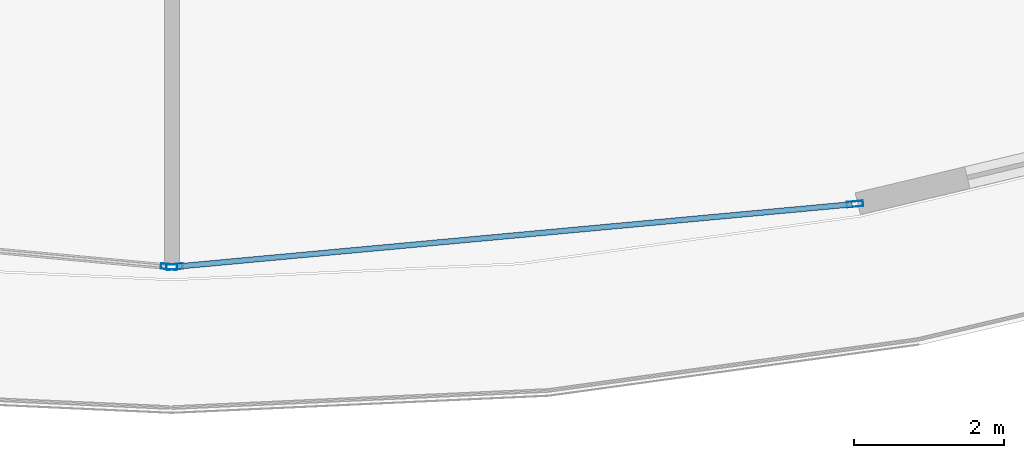
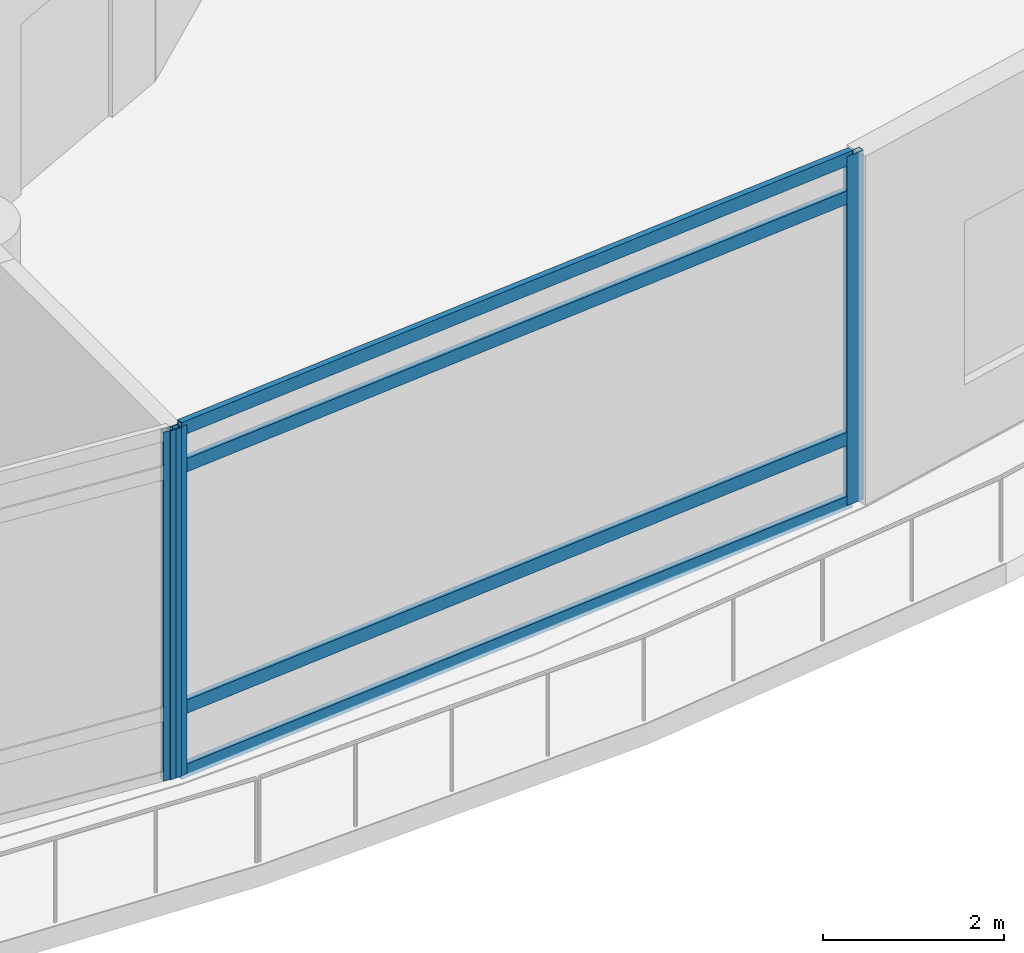
# One storey, part 9 of 36: 7 members, 2 elements without a shape of their own.
"""IFC4 building model written with IfcOpenShell, lengths in metres."""

from ifc_helpers import new_model, si_unit, direction, frame, origin, origin_2d, place, context, subcontext, project, spatial, hollow_rectangle, extrude, material, layer, layer_set, material_profile, profile_set, type_object, element, aggregate, save


model = new_model("IFC4")

# Units and contexts
model_context = context("Model", 3, precision=1e-05, world=origin(), true_north=direction((0.0, 1.0)))
body_context = subcontext(model_context, "Body", "Model", "MODEL_VIEW")
ifc_project = project(units=[si_unit("LENGTHUNIT", "METRE"), si_unit("AREAUNIT", "SQUARE_METRE"), si_unit("VOLUMEUNIT", "CUBIC_METRE"), si_unit("PLANEANGLEUNIT", "RADIAN"), si_unit("MASSUNIT", "GRAM", prefix="KILO")], contexts=[model_context])

# Site, building, storey
site_placement = place(None, origin())
site = spatial("IfcSite", under=ifc_project, at=site_placement, CompositionType="ELEMENT")
building_placement = place(site_placement, origin())
building = spatial("IfcBuilding", under=site, at=building_placement, Name="Nuhasar Tower", CompositionType="ELEMENT")
storey_placement = place(building_placement, frame((0.0, 0.0, 11.0)))
storey = spatial("IfcBuildingStorey", under=building, at=storey_placement, Name="L02", CompositionType="ELEMENT", Elevation=11.0)

# Curtain wall, member
ifc_material = material(Name="Aluminium 6063-T6", Category="aluminium")
ifc_layer = layer(ifc_material, 0.219970703125)
ifc_layer_set = layer_set([ifc_layer], Name="Aluminium 6063-T6")
curtain_wall_type = type_object("IfcCurtainWallType", Name="CW-PODIUM", PredefinedType="NOTDEFINED", material=ifc_layer_set)
curtain_wall_1_placement = place(storey_placement, origin())
curtain_wall_1 = element("IfcCurtainWall", 1, at=curtain_wall_1_placement, inside=storey, type_object=curtain_wall_type, Name="L02 Podium Curtain Wall Bay 18", PredefinedType="NOTDEFINED")
ifc_material_profile_1 = material_profile(ifc_material, hollow_rectangle(XDim=0.074951171875, YDim=0.219970703125, WallThickness=0.0048828125, at=origin_2d()), Name="CWM-1")
ifc_profile_set_1 = profile_set([ifc_material_profile_1], Name="Aluminium 6063-T6")
member_type_1 = type_object("IfcMemberType", Name="CW-MUL-S1", PredefinedType="MULLION", material=ifc_profile_set_1)
member_1_placement = place(storey_placement, frame((38.962646484375, 1.96337890625, 0.0), z_axis=(0.0, 0.0, 1.0), x_axis=(0.091837437601, 0.995774013045, 0.0)))
member_1 = element("IfcMember", 2, at=member_1_placement, type_object=member_type_1, Name="CW-P1 mullion 2", PredefinedType="MULLION", context=body_context, shape_type="SweptSolid", body=[
    extrude(hollow_rectangle(XDim=0.074951171875, YDim=0.219970703125, WallThickness=0.0048828125, at=origin_2d()), origin(), (0.0, 0.0, 1.0), 4.699951171875),
])
aggregate(curtain_wall_1, [member_1])

# Curtain wall, members
curtain_wall_2_placement = place(storey_placement, origin())
curtain_wall_2 = element("IfcCurtainWall", 3, at=curtain_wall_2_placement, inside=storey, type_object=curtain_wall_type, Name="L02 Podium Curtain Wall Bay 19", PredefinedType="NOTDEFINED")
member_2_placement = place(storey_placement, frame((39.037353515625, 1.96337890625, 0.0), z_axis=(0.0, 0.0, 1.0), x_axis=(-0.091837437601, 0.995774013045, 0.0)))
member_2 = element("IfcMember", 4, at=member_2_placement, type_object=member_type_1, Name="CW-P1 mullion 1", PredefinedType="MULLION", context=body_context, shape_type="SweptSolid", body=[
    extrude(hollow_rectangle(XDim=0.074951171875, YDim=0.219970703125, WallThickness=0.0048828125, at=origin_2d()), origin(), (0.0, 0.0, 1.0), 4.699951171875),
])
member_3_placement = place(storey_placement, frame((48.1357421875, 2.802490234375, 0.0), z_axis=(0.0, 0.0, 1.0), x_axis=(-0.091837437601, 0.995774013045, 0.0)))
member_3 = element("IfcMember", 5, at=member_3_placement, type_object=member_type_1, Name="CW-P1 mullion 2", PredefinedType="MULLION", context=body_context, shape_type="SweptSolid", body=[
    extrude(hollow_rectangle(XDim=0.074951171875, YDim=0.219970703125, WallThickness=0.0048828125, at=origin_2d()), origin(), (0.0, 0.0, 1.0), 4.699951171875),
])
ifc_material_profile_2 = material_profile(ifc_material, hollow_rectangle(XDim=0.074951171875, YDim=0.179931640625, WallThickness=0.00439453125, at=origin_2d()), Name="CWT-1")
ifc_profile_set_2 = profile_set([ifc_material_profile_2], Name="Aluminium 6063-T6")
member_type_2 = type_object("IfcMemberType", Name="CW-TRN-S1", PredefinedType="USERDEFINED", material=ifc_profile_set_2)
member_4_placement = place(storey_placement, frame((39.07470703125, 1.966796875, 0.03759765625), z_axis=(0.995773542735, 0.091842536922, 0.0), x_axis=(-0.091842536922, 0.995773542735, 0.0)))
member_4 = element("IfcMember", 6, at=member_4_placement, type_object=member_type_2, Name="CW-P1 transom 1.1", ObjectType="TRANSOM", PredefinedType="USERDEFINED", context=body_context, shape_type="SweptSolid", body=[
    extrude(hollow_rectangle(XDim=0.074951171875, YDim=0.179931640625, WallThickness=0.00439453125, at=origin_2d()), origin(), (0.0, 0.0, 1.0), 9.06201171875),
])
member_5_placement = place(storey_placement, frame((39.07470703125, 1.966796875, 0.89990234375), z_axis=(0.995773542735, 0.091842536922, 0.0), x_axis=(-0.091842536922, 0.995773542735, 0.0)))
member_5 = element("IfcMember", 7, at=member_5_placement, type_object=member_type_2, Name="CW-P1 transom 1.2", ObjectType="TRANSOM", PredefinedType="USERDEFINED", context=body_context, shape_type="SweptSolid", body=[
    extrude(hollow_rectangle(XDim=0.074951171875, YDim=0.179931640625, WallThickness=0.00439453125, at=origin_2d()), origin(), (0.0, 0.0, 1.0), 9.06201171875),
])
member_6_placement = place(storey_placement, frame((39.07470703125, 1.966796875, 4.14990234375), z_axis=(0.995773542735, 0.091842536922, 0.0), x_axis=(-0.091842536922, 0.995773542735, 0.0)))
member_6 = element("IfcMember", 8, at=member_6_placement, type_object=member_type_2, Name="CW-P1 transom 1.3", ObjectType="TRANSOM", PredefinedType="USERDEFINED", context=body_context, shape_type="SweptSolid", body=[
    extrude(hollow_rectangle(XDim=0.074951171875, YDim=0.179931640625, WallThickness=0.00439453125, at=origin_2d()), origin(), (0.0, 0.0, 1.0), 9.06201171875),
])
member_7_placement = place(storey_placement, frame((39.07470703125, 1.966796875, 4.66259765625), z_axis=(0.995773542735, 0.091842536922, 0.0), x_axis=(-0.091842536922, 0.995773542735, 0.0)))
member_7 = element("IfcMember", 9, at=member_7_placement, type_object=member_type_2, Name="CW-P1 transom 1.4", ObjectType="TRANSOM", PredefinedType="USERDEFINED", context=body_context, shape_type="SweptSolid", body=[
    extrude(hollow_rectangle(XDim=0.074951171875, YDim=0.179931640625, WallThickness=0.00439453125, at=origin_2d()), origin(), (0.0, 0.0, 1.0), 9.06201171875),
])
aggregate(curtain_wall_2, [member_2, member_3, member_4, member_5, member_6, member_7])

save(model, "model.ifc")
